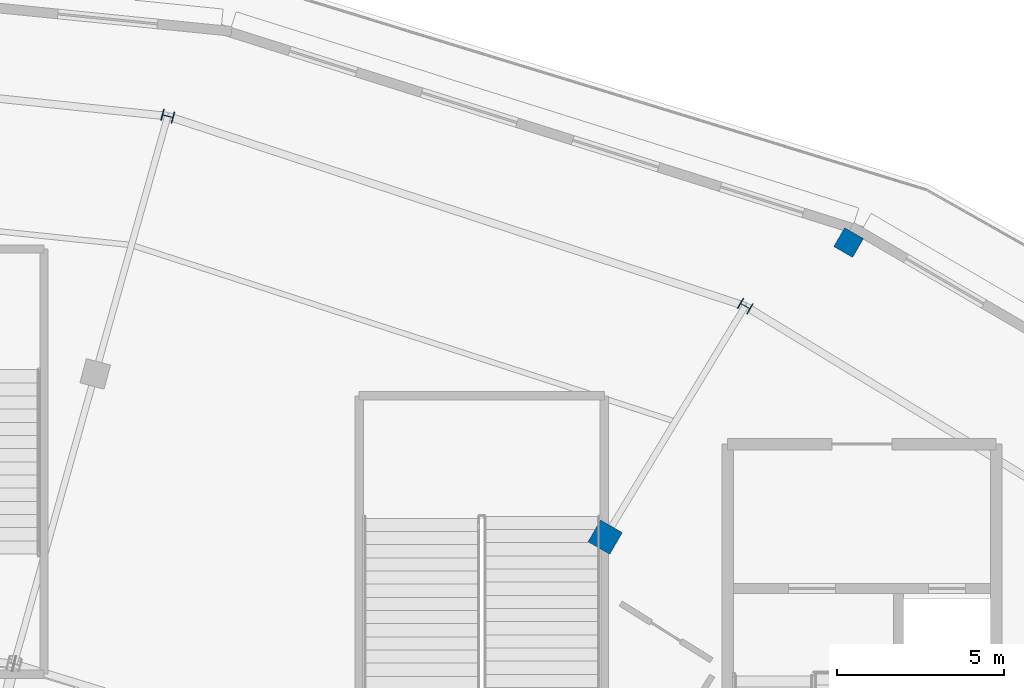
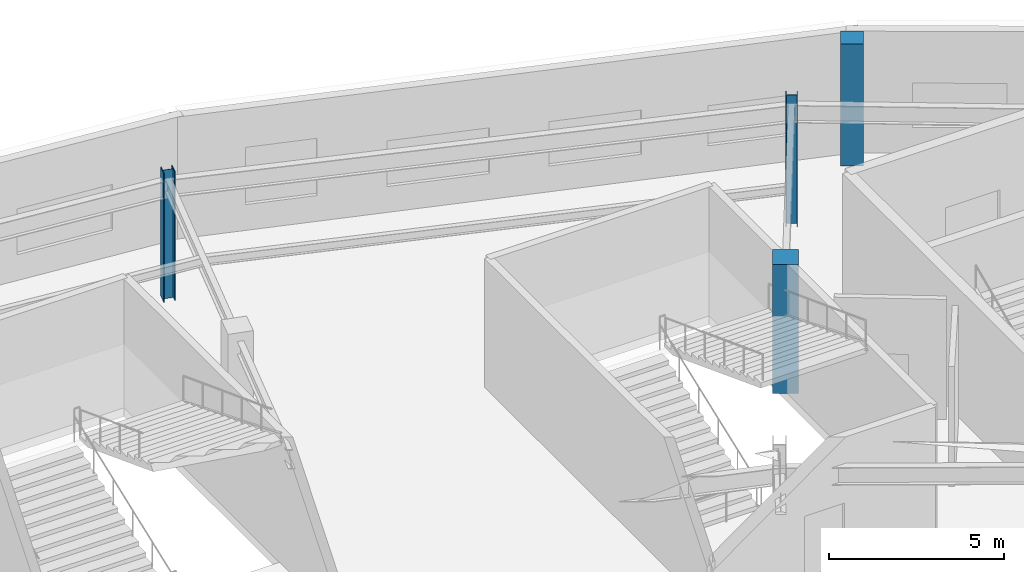
# One storey, part 10 of 63: 4 columns.
"""IFC4 building model written with IfcOpenShell, lengths in metres."""

from ifc_helpers import new_model, si_unit, direction, frame, origin, origin_2d, place, context, subcontext, project, spatial, rectangle, i_section, extrude, material, material_profile, profile_set, type_object, element, save


model = new_model("IFC4")

# Units and contexts
model_context = context("Model", 3, precision=1e-05, world=origin(), true_north=direction((0.0, 1.0)))
body_context = subcontext(model_context, "Body", "Model", "MODEL_VIEW")
ifc_project = project(units=[si_unit("LENGTHUNIT", "METRE"), si_unit("AREAUNIT", "SQUARE_METRE"), si_unit("VOLUMEUNIT", "CUBIC_METRE"), si_unit("PLANEANGLEUNIT", "RADIAN"), si_unit("MASSUNIT", "GRAM", prefix="KILO")], contexts=[model_context])

# Site, building, storey
site_placement = place(None, origin())
site = spatial("IfcSite", under=ifc_project, at=site_placement, CompositionType="ELEMENT")
building_placement = place(site_placement, origin())
building = spatial("IfcBuilding", under=site, at=building_placement, Name="Kalgoora Escarpment Arena", CompositionType="ELEMENT")
storey_placement = place(building_placement, frame((0.0, 0.0, 14.39990234375)))
storey = spatial("IfcBuildingStorey", under=building, at=storey_placement, Name="L03", CompositionType="ELEMENT", Elevation=14.39990234375)

# Columns
ifc_material_1 = material(Name="Structural steel Grade 350 (350 MPa)", Category="steel")
ifc_material_profile_1 = material_profile(ifc_material_1, i_section(OverallWidth=0.35009765625, OverallDepth=0.35009765625, WebThickness=0.013916015625, FlangeThickness=0.02392578125, at=origin_2d()))
ifc_profile_set_1 = profile_set([ifc_material_profile_1], Name="Structural steel Grade 350 (350 MPa)")
column_type_1 = type_object("IfcColumnType", Name="COL-COL-350WC197", PredefinedType="COLUMN", material=ifc_profile_set_1)
for number, where, z_axis, x_axis, name in (
    (1, (128.300048828125, 113.36328125, 0.0), (0.0, 0.0, 1.0), (0.5, 0.866025403784, 0.0), "L03 structural column COL-RCONC2-R05"),
    (2, (110.983154296875, 119.057861328125, 0.0), (0.0, 0.0, 1.0), (0.258819045103, 0.965925826289, 0.0), "L03 structural column COL-RCONC2-R06"),
):
    element("IfcColumn", number, at=place(storey_placement, frame(where, z_axis=z_axis, x_axis=x_axis)), inside=storey, type_object=column_type_1, Name=name, PredefinedType="COLUMN", context=body_context, shape_type="SweptSolid", body=[
        extrude(i_section(OverallWidth=0.35009765625, OverallDepth=0.35009765625, WebThickness=0.013916015625, FlangeThickness=0.02392578125, at=origin_2d()), origin(), (0.0, 0.0, 1.0), 4.5),
    ])
ifc_material_2 = material(Name="Concrete N50 (fc' 50 MPa)", Category="concrete")
ifc_material_profile_2 = material_profile(ifc_material_2, rectangle(XDim=0.64990234375, YDim=0.64990234375, at=origin_2d()))
ifc_profile_set_2 = profile_set([ifc_material_profile_2], Name="Concrete N50 (fc' 50 MPa)")
column_type_2 = type_object("IfcColumnType", Name="COL-COL-RC650x650", PredefinedType="COLUMN", material=ifc_profile_set_2)
column_1_placement = place(storey_placement, frame((131.39990234375, 115.268798828125, 0.0), z_axis=(0.0, 0.0, 1.0), x_axis=(0.5, 0.866025403784, 0.0)))
element("IfcColumn", 3, at=column_1_placement, inside=storey, type_object=column_type_2, Name="L03 structural column COL-RBASE1-R05", PredefinedType="COLUMN", context=body_context, shape_type="SweptSolid", body=[
    extrude(rectangle(XDim=0.64990234375, YDim=0.64990234375, at=origin_2d()), origin(), (0.0, 0.0, 1.0), 4.260009765625),
])
ifc_material_3 = material(Name="Concrete N50 (fc' 50 MPa)", Category="concrete")
ifc_material_profile_3 = material_profile(ifc_material_3, rectangle(XDim=0.75, YDim=0.75, at=origin_2d()))
ifc_profile_set_3 = profile_set([ifc_material_profile_3], Name="Concrete N50 (fc' 50 MPa)")
column_type_3 = type_object("IfcColumnType", Name="COL-COL-RC750x750", PredefinedType="COLUMN", material=ifc_profile_set_3)
column_2_placement = place(storey_placement, frame((124.10009765625, 106.435302734375, 0.0), z_axis=(0.0, 0.0, 1.0), x_axis=(0.5, 0.866025403784, 0.0)))
element("IfcColumn", 4, at=column_2_placement, inside=storey, type_object=column_type_3, Name="L03 structural column COL-RCONC1-R05", PredefinedType="COLUMN", context=body_context, shape_type="SweptSolid", body=[
    extrude(rectangle(XDim=0.75, YDim=0.75, at=origin_2d()), origin(), (0.0, 0.0, 1.0), 4.5),
])

save(model, "model.ifc")
